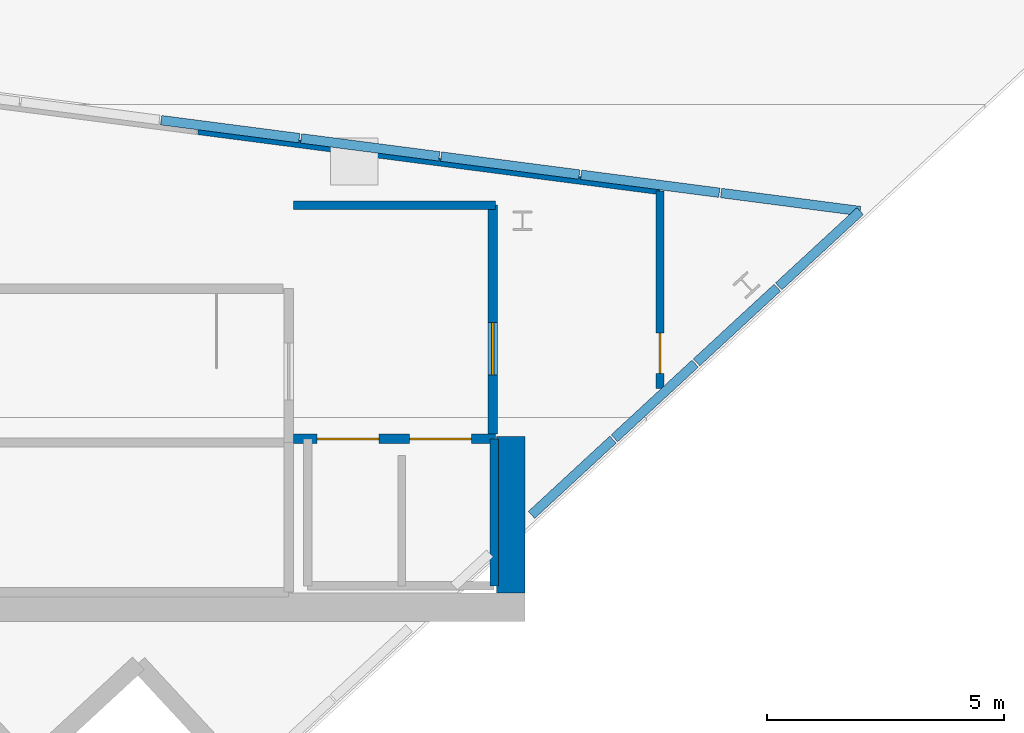
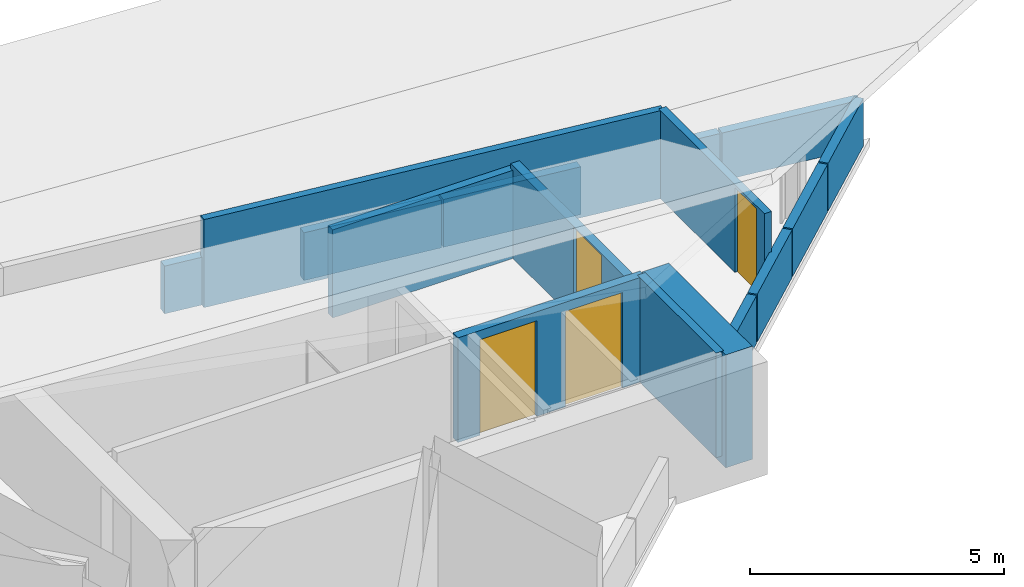
# One storey, part 2 of 3: 16 walls, 4 doors, 4 openings.
"""IFC4 building model written with IfcOpenShell, lengths in metres."""

from ifc_helpers import new_model, si_unit, direction, frame, frame_2d, origin, place, context, subcontext, project, spatial, rectangle, extrude, material, layer, layer_set, type_object, element, fill, save


model = new_model("IFC4")

# Units and contexts
model_context = context("Model", 3, precision=1e-05, world=origin(), true_north=direction((0.0, 1.0)))
body_context = subcontext(model_context, "Body", "Model", "MODEL_VIEW")
ifc_project = project(units=[si_unit("LENGTHUNIT", "METRE"), si_unit("AREAUNIT", "SQUARE_METRE"), si_unit("VOLUMEUNIT", "CUBIC_METRE"), si_unit("PLANEANGLEUNIT", "RADIAN"), si_unit("MASSUNIT", "GRAM", prefix="KILO")], contexts=[model_context])

# Site, building, storey
site_placement = place(None, origin())
site = spatial("IfcSite", under=ifc_project, at=site_placement, CompositionType="ELEMENT")
building_placement = place(site_placement, origin())
building = spatial("IfcBuilding", under=site, at=building_placement, Name="Narakoshi Arena Tower", CompositionType="ELEMENT")
storey_placement = place(building_placement, frame((0.0, 0.0, 317.3798828125)))
storey = spatial("IfcBuildingStorey", under=building, at=storey_placement, Name="L85", CompositionType="ELEMENT", Elevation=317.3798828125)

# Walls
ifc_material_1 = material(Name="Concrete C50/60", Category="concrete")
ifc_layer_1 = layer(ifc_material_1, 0.60009765625)
ifc_layer_set_1 = layer_set([ifc_layer_1], Name="Concrete C50/60")
wall_type_1 = type_object("IfcWallType", Name="WL-CORE-600", PredefinedType="SHEAR", material=ifc_layer_set_1)
wall_1_placement = place(storey_placement, frame((85.300048828125, 35.5, -0.199951171875), z_axis=(0.0, 0.0, 1.0), x_axis=(0.0, 1.0, 0.0)))
element("IfcWall", 1, at=wall_1_placement, inside=storey, type_object=wall_type_1, Name="L85 Central Core Shear Wall CW-APX-E", PredefinedType="SHEAR", context=body_context, shape_type="SweptSolid", body=[
    extrude(rectangle(XDim=3.300048828125, YDim=0.60009765625, at=frame_2d((1.64990234375, 0.0))), origin(), (0.0, 0.0, 1.0), 2.719970703125),
])
ifc_material_2 = material(Name="Gypsum plasterboard fire-rated partition")
ifc_layer_2 = layer(ifc_material_2, 0.1650390625)
ifc_layer_set_2 = layer_set([ifc_layer_2], Name="Gypsum plasterboard fire-rated partition")
wall_type_2 = type_object("IfcWallType", Name="WL-CORR-165", PredefinedType="PARTITIONING", material=ifc_layer_set_2)
wall_2_placement = place(storey_placement, frame((88.449951171875, 43.981689453125, 0.0), z_axis=(0.0, 0.0, 1.0), x_axis=(-0.991657142515, 0.128903497621, 0.0)))
element("IfcWall", 2, at=wall_2_placement, inside=storey, type_object=wall_type_2, Name="L85 Corridor Partition 02-1", PredefinedType="PARTITIONING", context=body_context, shape_type="SweptSolid", body=[
    extrude(rectangle(XDim=9.822265625, YDim=0.1650390625, at=frame_2d((4.9111328125, 0.0))), origin(), (0.0, 0.0, 1.0), 2.1201171875),
])

# Wall, opening, door
wall_3_placement = place(storey_placement, frame((88.449951171875, 39.81689453125, 0.0), z_axis=(0.0, 0.0, 1.0), x_axis=(0.0, 1.0, 0.0)))
wall_3 = element("IfcWall", 3, at=wall_3_placement, inside=storey, type_object=wall_type_2, Name="L85 Corridor Partition 02-2", PredefinedType="PARTITIONING", context=body_context, shape_type="SweptSolid", body=[
    extrude(rectangle(XDim=4.164794921875, YDim=0.1650390625, at=frame_2d((2.08251953125, 0.0))), origin(), (0.0, 0.0, 1.0), 2.1201171875),
])
opening_1_placement = place(wall_3_placement, frame((0.316650390625, 0.0, 0.0)))
opening_1 = element("IfcOpeningElement", 4, at=opening_1_placement, cuts=wall_3, Name="Opening D-10", PredefinedType="OPENING", context=body_context, shape_type="SweptSolid", body=[
    extrude(rectangle(XDim=0.85009765625, YDim=2.050048828125, at=frame_2d((0.425048828125, 1.02490234375))), frame((0.0, 0.092529296875, 0.0), z_axis=(0.0, -1.0, 0.0), x_axis=(1.0, 0.0, 0.0)), (0.0, 0.0, 1.0), 0.18505859375),
])
ifc_material_3 = material(Name="Painted galvanized steel", Category="steel")
door_type_1 = type_object("IfcDoorType", Name="DR-RSR-850", OperationType="NOTDEFINED", PredefinedType="DOOR", material=ifc_material_3)
door_1_placement = place(opening_1_placement, frame((0.85009765625, 0.0, 0.0), z_axis=(0.0, 0.0, 1.0), x_axis=(-1.0, 0.0, 0.0)))
door_1 = element("IfcDoor", 5, at=door_1_placement, inside=storey, type_object=door_type_1, Name="DR-L85-008", OperationType="SINGLE_SWING_RIGHT", OverallHeight=2.050048828125, OverallWidth=0.85009765625, PredefinedType="DOOR", context=body_context, shape_type="SweptSolid", body=[
    extrude(rectangle(XDim=0.85009765625, YDim=2.050048828125, at=frame_2d((0.425048828125, 1.02490234375))), frame((0.0, 0.02490234375, 0.0), z_axis=(0.0, -1.0, 0.0), x_axis=(1.0, 0.0, 0.0)), (0.0, 0.0, 1.0), 0.050048828125),
])
fill(opening_1, door_1)

# Walls
ifc_material_4 = material(Name="Precast concrete C45/55", Category="concrete")
ifc_layer_3 = layer(ifc_material_4, 0.25)
ifc_layer_set_3 = layer_set([ifc_layer_3], Name="Precast concrete C45/55")
wall_type_3 = type_object("IfcWallType", Name="WL-PARA-250", PredefinedType="PARAPET", material=ifc_layer_set_3)
for number, where, z_axis, x_axis, name in (
    (6, (77.931640625, 45.469970703125, 0.0), (0.0, 0.0, 1.0), (0.991662418036, -0.128862906435, 0.0), "L85 Crown Sill Upstand Parapet 11"),
    (7, (80.88330078125, 45.086181640625, 0.0), (0.0, 0.0, 1.0), (0.991662418036, -0.128862906435, 0.0), "L85 Crown Sill Upstand Parapet 12"),
):
    element("IfcWall", number, at=place(storey_placement, frame(where, z_axis=z_axis, x_axis=x_axis)), inside=storey, type_object=wall_type_3, Name=name, PredefinedType="PARAPET", context=body_context, shape_type="SweptSolid", body=[
        extrude(rectangle(XDim=2.9365234375, YDim=0.199951171875, at=frame_2d((1.46826171875, 0.0))), origin(), (0.0, 0.0, 1.0), 1.150146484375),
    ])
for number, where, z_axis, x_axis, name in (
    (8, (83.8349609375, 44.70263671875, 0.0), (0.0, 0.0, 1.0), (0.991661037316, -0.128873531302, 0.0), "L85 Crown Sill Upstand Parapet 13"),
    (9, (86.78662109375, 44.319091796875, 0.0), (0.0, 0.0, 1.0), (0.991661037316, -0.128873531302, 0.0), "L85 Crown Sill Upstand Parapet 14"),
):
    element("IfcWall", number, at=place(storey_placement, frame(where, z_axis=z_axis, x_axis=x_axis)), inside=storey, type_object=wall_type_3, Name=name, PredefinedType="PARAPET", context=body_context, shape_type="SweptSolid", body=[
        extrude(rectangle(XDim=2.936279296875, YDim=0.199951171875, at=frame_2d((1.46826171875, 0.0))), origin(), (0.0, 0.0, 1.0), 1.150146484375),
    ])
wall_4_placement = place(storey_placement, frame((89.738037109375, 43.935302734375, 0.0), z_axis=(0.0, 0.0, 1.0), x_axis=(0.991657411852, -0.128901425589, 0.0)))
element("IfcWall", 10, at=wall_4_placement, inside=storey, type_object=wall_type_3, Name="L85 Crown Sill Upstand Parapet 15", PredefinedType="PARAPET", context=body_context, shape_type="SweptSolid", body=[
    extrude(rectangle(XDim=2.95654296875, YDim=0.199951171875, at=frame_2d((1.478271484375, 0.0))), origin(), (0.0, 0.0, 1.0), 1.150146484375),
])
wall_5_placement = place(storey_placement, frame((92.669921875, 43.55419921875, 0.0), z_axis=(0.0, 0.0, 1.0), x_axis=(-0.734375131594, -0.678743814775, 0.0)))
element("IfcWall", 11, at=wall_5_placement, inside=storey, type_object=wall_type_3, Name="L85 Crown Sill Upstand Parapet 16", PredefinedType="PARAPET", context=body_context, shape_type="SweptSolid", body=[
    extrude(rectangle(XDim=2.339111328125, YDim=0.199951171875, at=frame_2d((1.16943359375, 0.0))), origin(), (0.0, 0.0, 1.0), 1.150146484375),
])
wall_6_placement = place(storey_placement, frame((90.922607421875, 41.939208984375, 0.0), z_axis=(0.0, 0.0, 1.0), x_axis=(-0.734351267023, -0.678769634428, 0.0)))
element("IfcWall", 12, at=wall_6_placement, inside=storey, type_object=wall_type_3, Name="L85 Crown Sill Upstand Parapet 17", PredefinedType="PARAPET", context=body_context, shape_type="SweptSolid", body=[
    extrude(rectangle(XDim=2.3193359375, YDim=0.199951171875, at=frame_2d((1.15966796875, 0.0))), origin(), (0.0, 0.0, 1.0), 1.150146484375),
])
wall_7_placement = place(storey_placement, frame((89.190185546875, 40.337890625, 0.0), z_axis=(0.0, 0.0, 1.0), x_axis=(-0.73425028674, -0.678878867267, 0.0)))
element("IfcWall", 13, at=wall_7_placement, inside=storey, type_object=wall_type_3, Name="L85 Crown Sill Upstand Parapet 18", PredefinedType="PARAPET", context=body_context, shape_type="SweptSolid", body=[
    extrude(rectangle(XDim=2.319091796875, YDim=0.199951171875, at=frame_2d((1.15966796875, 0.0))), origin(), (0.0, 0.0, 1.0), 1.150146484375),
])
wall_8_placement = place(storey_placement, frame((87.457763671875, 38.736328125, 0.0), z_axis=(0.0, 0.0, 1.0), x_axis=(-0.734323107657, -0.67880009838, 0.0)))
element("IfcWall", 14, at=wall_8_placement, inside=storey, type_object=wall_type_3, Name="L85 Crown Sill Upstand Parapet 19", PredefinedType="PARAPET", context=body_context, shape_type="SweptSolid", body=[
    extrude(rectangle(XDim=2.33935546875, YDim=0.199951171875, at=frame_2d((1.169677734375, 0.0))), origin(), (0.0, 0.0, 1.0), 1.150146484375),
])

# Wall, openings, doors
ifc_layer_4 = layer(ifc_material_1, 0.35009765625)
ifc_layer_set_4 = layer_set([ifc_layer_4], Name="Concrete C50/60")
wall_type_4 = type_object("IfcWallType", Name="WL-SHAFT-350", PredefinedType="SOLIDWALL", material=ifc_layer_set_4)
wall_9_placement = place(storey_placement, frame((80.719970703125, 38.75, 0.0), z_axis=(0.0, 0.0, 1.0), x_axis=(1.0, 0.0, 0.0)))
wall_9 = element("IfcWall", 15, at=wall_9_placement, inside=storey, type_object=wall_type_4, Name="L85 Core Wall FF-N", PredefinedType="SOLIDWALL", context=body_context, shape_type="SweptSolid", body=[
    extrude(rectangle(XDim=4.260009765625, YDim=0.199951171875, at=frame_2d((2.1298828125, 0.0))), origin(), (0.0, 0.0, 1.0), 2.52001953125),
])
opening_2_placement = place(wall_9_placement, frame((0.5, 0.0, 0.0)))
opening_2 = element("IfcOpeningElement", 16, at=opening_2_placement, cuts=wall_9, Name="Opening LD-02", PredefinedType="OPENING", context=body_context, shape_type="SweptSolid", body=[
    extrude(rectangle(XDim=1.300048828125, YDim=2.300048828125, at=frame_2d((0.64990234375, 1.14990234375))), frame((0.0, 0.10986328125, 0.0), z_axis=(0.0, -1.0, 0.0), x_axis=(1.0, 0.0, 0.0)), (0.0, 0.0, 1.0), 0.219970703125),
])
opening_3_placement = place(wall_9_placement, frame((2.449951171875, 0.0, 0.0)))
opening_3 = element("IfcOpeningElement", 17, at=opening_3_placement, cuts=wall_9, Name="Opening LD-02", PredefinedType="OPENING", context=body_context, shape_type="SweptSolid", body=[
    extrude(rectangle(XDim=1.300048828125, YDim=2.300048828125, at=frame_2d((0.64990234375, 1.14990234375))), frame((0.0, 0.10986328125, 0.0), z_axis=(0.0, -1.0, 0.0), x_axis=(1.0, 0.0, 0.0)), (0.0, 0.0, 1.0), 0.219970703125),
])
ifc_material_5 = material(Name="Brushed bronze stainless steel", Category="steel")
door_type_2 = type_object("IfcDoorType", Name="DR-LFT-1300", OperationType="DOUBLE_DOOR_SLIDING", PredefinedType="DOOR", material=ifc_material_5)
door_2_placement = place(opening_2_placement, origin())
door_2 = element("IfcDoor", 18, at=door_2_placement, inside=storey, type_object=door_type_2, Name="DR-L85-004", OperationType="DOUBLE_DOOR_SLIDING", OverallHeight=2.300048828125, OverallWidth=1.300048828125, PredefinedType="DOOR", context=body_context, shape_type="SweptSolid", body=[
    extrude(rectangle(XDim=1.300048828125, YDim=2.300048828125, at=frame_2d((0.64990234375, 1.14990234375))), frame((0.0, 0.02490234375, 0.0), z_axis=(0.0, -1.0, 0.0), x_axis=(1.0, 0.0, 0.0)), (0.0, 0.0, 1.0), 0.050048828125),
])
fill(opening_2, door_2)
door_3_placement = place(opening_3_placement, origin())
door_3 = element("IfcDoor", 19, at=door_3_placement, inside=storey, type_object=door_type_2, Name="DR-L85-005", OperationType="DOUBLE_DOOR_SLIDING", OverallHeight=2.300048828125, OverallWidth=1.300048828125, PredefinedType="DOOR", context=body_context, shape_type="SweptSolid", body=[
    extrude(rectangle(XDim=1.300048828125, YDim=2.300048828125, at=frame_2d((0.64990234375, 1.14990234375))), frame((0.0, 0.02490234375, 0.0), z_axis=(0.0, -1.0, 0.0), x_axis=(1.0, 0.0, 0.0)), (0.0, 0.0, 1.0), 0.050048828125),
])
fill(opening_3, door_3)

# Wall
wall_10_placement = place(storey_placement, frame((84.949951171875, 35.64990234375, 0.0), z_axis=(0.0, 0.0, 1.0), x_axis=(0.0, 1.0, 0.0)))
element("IfcWall", 20, at=wall_10_placement, inside=storey, type_object=wall_type_4, Name="L85 Core Wall FF-E", PredefinedType="SOLIDWALL", context=body_context, shape_type="SweptSolid", body=[
    extrude(rectangle(XDim=3.10009765625, YDim=0.179931640625, at=frame_2d((1.550048828125, 0.0))), origin(), (0.0, 0.0, 1.0), 2.52001953125),
])

# Wall, opening, door
wall_11_placement = place(storey_placement, frame((84.919921875, 38.85009765625, 0.0), z_axis=(0.0, 0.0, 1.0), x_axis=(0.0, 1.0, 0.0)))
wall_11 = element("IfcWall", 21, at=wall_11_placement, inside=storey, type_object=wall_type_4, Name="L85 Core Wall FFLOB-E", PredefinedType="SOLIDWALL", context=body_context, shape_type="SweptSolid", body=[
    extrude(rectangle(XDim=4.829833984375, YDim=0.199951171875, at=frame_2d((2.4150390625, 0.0))), origin(), (0.0, 0.0, 1.0), 2.230224609375),
])
opening_4_placement = place(wall_11_placement, frame((1.25, 0.0, 0.0)))
opening_4 = element("IfcOpeningElement", 22, at=opening_4_placement, cuts=wall_11, Name="Opening D-04", PredefinedType="OPENING", context=body_context, shape_type="SweptSolid", body=[
    extrude(rectangle(XDim=1.10009765625, YDim=2.199951171875, at=frame_2d((0.550048828125, 1.10009765625))), frame((0.0, 0.10986328125, 0.0), z_axis=(0.0, -1.0, 0.0), x_axis=(1.0, 0.0, 0.0)), (0.0, 0.0, 1.0), 0.219970703125),
])
door_type_3 = type_object("IfcDoorType", Name="DR-FFL-1100", OperationType="NOTDEFINED", PredefinedType="DOOR", material=ifc_material_3)
door_4_placement = place(opening_4_placement, frame((1.10009765625, 0.0, 0.0), z_axis=(0.0, 0.0, 1.0), x_axis=(-1.0, 0.0, 0.0)))
door_4 = element("IfcDoor", 23, at=door_4_placement, inside=storey, type_object=door_type_3, Name="DR-L85-006", OperationType="SINGLE_SWING_RIGHT", OverallHeight=2.199951171875, OverallWidth=1.10009765625, PredefinedType="DOOR", context=body_context, shape_type="SweptSolid", body=[
    extrude(rectangle(XDim=1.10009765625, YDim=2.199951171875, at=frame_2d((0.550048828125, 1.10009765625))), frame((0.0, 0.02490234375, 0.0), z_axis=(0.0, -1.0, 0.0), x_axis=(1.0, 0.0, 0.0)), (0.0, 0.0, 1.0), 0.050048828125),
])
fill(opening_4, door_4)

# Wall
wall_12_placement = place(storey_placement, frame((80.719970703125, 43.679931640625, 0.0), z_axis=(0.0, 0.0, 1.0), x_axis=(1.0, 0.0, 0.0)))
element("IfcWall", 24, at=wall_12_placement, inside=storey, type_object=wall_type_4, Name="L85 Core Wall FFL-N", PredefinedType="SOLIDWALL", context=body_context, shape_type="SweptSolid", body=[
    extrude(rectangle(XDim=4.260009765625, YDim=0.179931640625, at=frame_2d((2.1298828125, 0.0))), origin(), (0.0, 0.0, 1.0), 2.1201171875),
])

save(model, "model.ifc")
